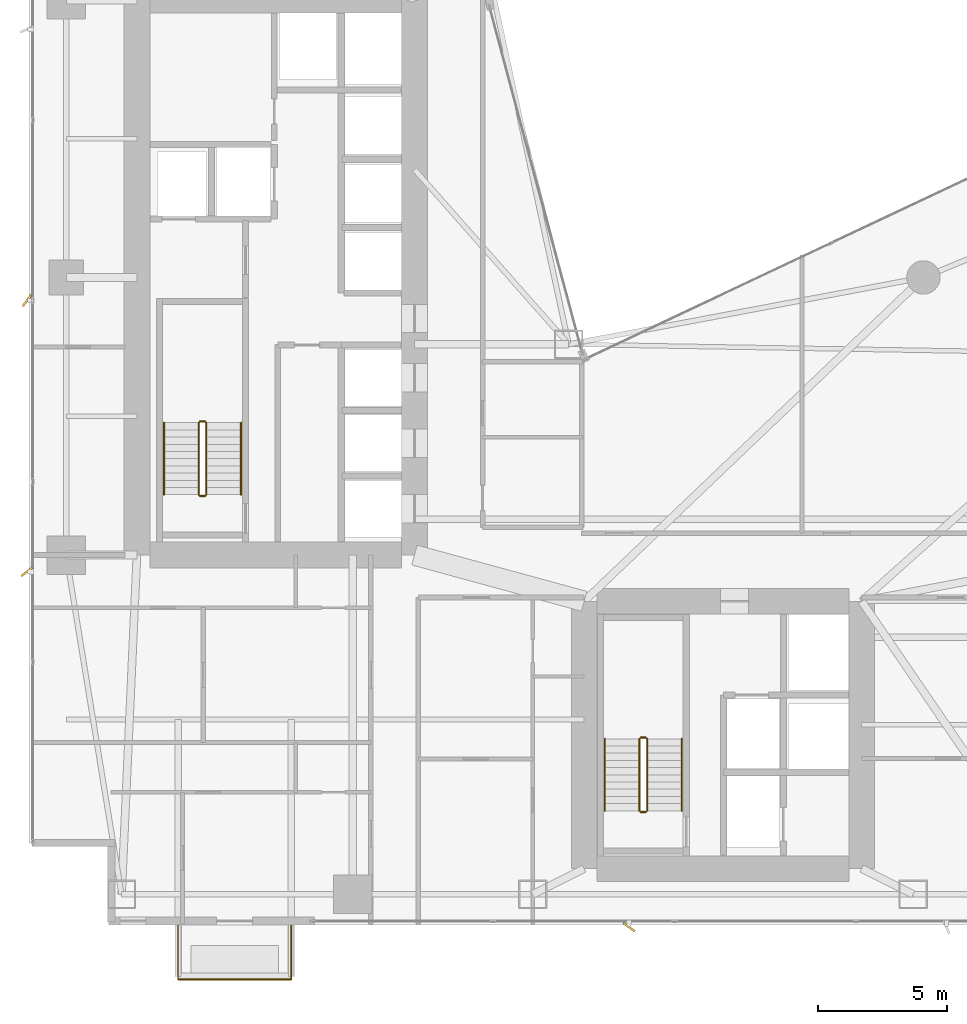
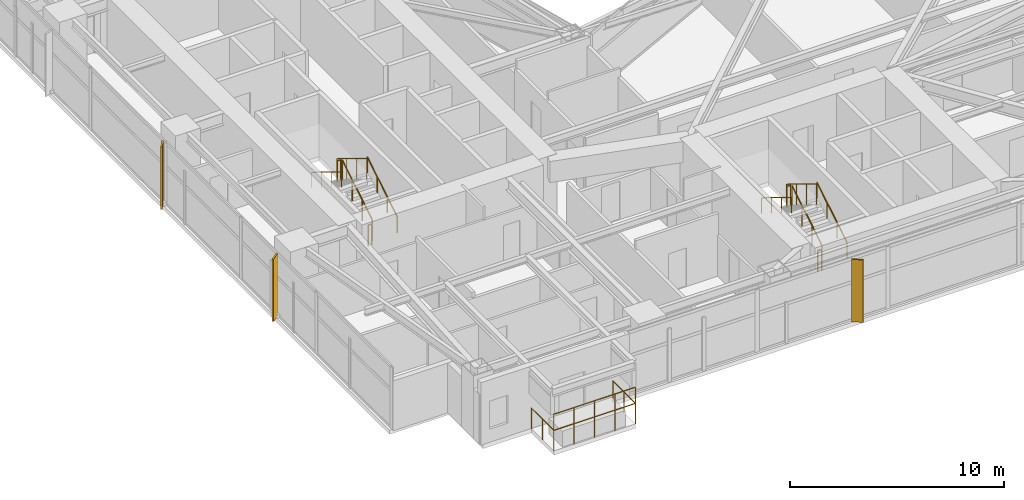
# One storey, part 28 of 29: 14 railings, 3 shading devices.
"""IFC4 building model written with IfcOpenShell, lengths in metres."""

from ifc_helpers import new_model, si_unit, direction, frame, origin, origin_2d, place, context, subcontext, project, spatial, rectangle, circle, extrude, material, type_object, element, save


model = new_model("IFC4")

# Units and contexts
model_context = context("Model", 3, precision=1e-05, world=origin(), true_north=direction((0.0, 1.0)))
body_context = subcontext(model_context, "Body", "Model", "MODEL_VIEW")
ifc_project = project(units=[si_unit("LENGTHUNIT", "METRE"), si_unit("AREAUNIT", "SQUARE_METRE"), si_unit("VOLUMEUNIT", "CUBIC_METRE"), si_unit("PLANEANGLEUNIT", "RADIAN"), si_unit("MASSUNIT", "GRAM", prefix="KILO")], contexts=[model_context])

# Site, building, storey
site_placement = place(None, origin())
site = spatial("IfcSite", under=ifc_project, at=site_placement, CompositionType="ELEMENT")
building_placement = place(site_placement, origin())
building = spatial("IfcBuilding", under=site, at=building_placement, Name="Calvorn Quay Hotel", CompositionType="ELEMENT")
storey_placement = place(building_placement, frame((0.0, 0.0, 34.60009765625)))
storey = spatial("IfcBuildingStorey", under=building, at=storey_placement, Name="L07", CompositionType="ELEMENT", Elevation=34.60009765625)

# Railings
ifc_material_1 = material(Name="Pale Anodised Aluminium and Laminated Glass", Category="aluminium")
railing_type_1 = type_object("IfcRailingType", Name="RLG-BALUSTRADE-1200", PredefinedType="BALUSTRADE", material=ifc_material_1)
railing_1_placement = place(storey_placement, frame((5.800048828125, 2.389892578125, 0.0)))
element("IfcRailing", 1, at=railing_1_placement, inside=storey, type_object=railing_type_1, Name="Tree Balcony Perimeter Balustrade L07-BALC-S", PredefinedType="BALUSTRADE", context=body_context, shape_type="SweptSolid", body=[
    extrude(circle(Radius=0.02392578125, at=origin_2d()), frame((0.0, 0.0, 1.17578125), z_axis=(0.0, -1.0, 0.0), x_axis=(1.0, 0.0, 0.0)), (0.0, 0.0, 1.0), 2.099853515625),
    extrude(circle(Radius=0.02392578125, at=origin_2d()), frame((0.0, -2.099853515625, 1.17578125), z_axis=(1.0, 0.0, 0.0), x_axis=(0.0, 1.0, 0.0)), (0.0, 0.0, 1.0), 4.39990234375),
    extrude(circle(Radius=0.02392578125, at=origin_2d()), frame((4.39990234375, -2.099853515625, 1.17578125), z_axis=(0.0, 1.0, 0.0), x_axis=(-1.0, 0.0, 0.0)), (0.0, 0.0, 1.0), 2.099853515625),
    extrude(circle(Radius=0.02099609375, at=origin_2d()), origin(), (0.0, 0.0, 1.0), 1.15185546875),
    extrude(circle(Radius=0.02099609375, at=origin_2d()), frame((0.0, -1.0498046875, 0.0)), (0.0, 0.0, 1.0), 1.15185546875),
    extrude(circle(Radius=0.02099609375, at=origin_2d()), frame((0.0, -2.099853515625, 0.0)), (0.0, 0.0, 1.0), 1.15185546875),
    extrude(circle(Radius=0.02099609375, at=origin_2d()), frame((1.10009765625, -2.099853515625, 0.0)), (0.0, 0.0, 1.0), 1.15185546875),
    extrude(circle(Radius=0.02099609375, at=origin_2d()), frame((2.199951171875, -2.099853515625, 0.0)), (0.0, 0.0, 1.0), 1.15185546875),
    extrude(circle(Radius=0.02099609375, at=origin_2d()), frame((3.2998046875, -2.099853515625, 0.0)), (0.0, 0.0, 1.0), 1.15185546875),
    extrude(circle(Radius=0.02099609375, at=origin_2d()), frame((4.39990234375, -2.099853515625, 0.0)), (0.0, 0.0, 1.0), 1.15185546875),
    extrude(circle(Radius=0.02099609375, at=origin_2d()), frame((4.39990234375, -1.0498046875, 0.0)), (0.0, 0.0, 1.0), 1.15185546875),
    extrude(circle(Radius=0.02099609375, at=origin_2d()), frame((4.39990234375, 0.0, 0.0)), (0.0, 0.0, 1.0), 1.15185546875),
])
railing_2_placement = place(storey_placement, frame((5.800048828125, 0.2900390625, 0.89990234375)))
element("IfcRailing", 2, at=railing_2_placement, inside=storey, type_object=railing_type_1, Name="Planter Kerb High Safety Screen L07-BALC-S", PredefinedType="BALUSTRADE", context=body_context, shape_type="SweptSolid", body=[
    extrude(circle(Radius=0.02392578125, at=origin_2d()), frame((0.0, 0.0, 1.19580078125), z_axis=(1.0, 0.0, 0.0), x_axis=(0.0, 1.0, 0.0)), (0.0, 0.0, 1.0), 4.39990234375),
    extrude(circle(Radius=0.02099609375, at=origin_2d()), origin(), (0.0, 0.0, 1.0), 1.171875),
    extrude(circle(Radius=0.02099609375, at=origin_2d()), frame((1.10009765625, 0.0, 0.0)), (0.0, 0.0, 1.0), 1.171875),
    extrude(circle(Radius=0.02099609375, at=origin_2d()), frame((2.199951171875, 0.0, 0.0)), (0.0, 0.0, 1.0), 1.171875),
    extrude(circle(Radius=0.02099609375, at=origin_2d()), frame((3.2998046875, 0.0, 0.0)), (0.0, 0.0, 1.0), 1.171875),
    extrude(circle(Radius=0.02099609375, at=origin_2d()), frame((4.39990234375, 0.0, 0.0)), (0.0, 0.0, 1.0), 1.171875),
])
ifc_material_2 = material(Name="Brushed Stainless Steel Handrail", Category="steel")
railing_type_2 = type_object("IfcRailingType", Name="RLG-HANDRAIL-900", PredefinedType="HANDRAIL", material=ifc_material_2)
railing_3_placement = place(storey_placement, frame((8.25, 19.14990234375, 0.172607421875)))
element("IfcRailing", 3, at=railing_3_placement, inside=storey, type_object=railing_type_2, Name="L07 ST-W stair handrail 1", PredefinedType="HANDRAIL", context=body_context, shape_type="SweptSolid", body=[
    extrude(circle(Radius=0.02392578125, at=origin_2d()), frame((0.0, 0.0, 0.8759765625), z_axis=(0.0, 0.851089632645, 0.525020415988), x_axis=(-1.0, 0.0, 0.0)), (0.0, 0.0, 1.0), 3.2900390625),
    extrude(circle(Radius=0.02099609375, at=origin_2d()), origin(), (0.0, 0.0, 1.0), 0.851806640625),
    extrude(circle(Radius=0.02099609375, at=origin_2d()), frame((0.0, 0.933349609375, 0.57568359375)), (0.0, 0.0, 1.0), 0.851806640625),
    extrude(circle(Radius=0.02099609375, at=origin_2d()), frame((0.0, 1.86669921875, 1.151611328125)), (0.0, 0.0, 1.0), 0.851806640625),
    extrude(circle(Radius=0.02099609375, at=origin_2d()), frame((0.0, 2.800048828125, 1.727294921875)), (0.0, 0.0, 1.0), 0.851806640625),
])
railing_4_placement = place(storey_placement, frame((5.25, 21.949951171875, 2.072509765625)))
element("IfcRailing", 4, at=railing_4_placement, inside=storey, type_object=railing_type_2, Name="L07 ST-W stair handrail 2", PredefinedType="HANDRAIL", context=body_context, shape_type="SweptSolid", body=[
    extrude(circle(Radius=0.02392578125, at=origin_2d()), frame((0.0, 0.0, 0.8759765625), z_axis=(0.0, -0.851089632645, 0.525020415988), x_axis=(1.0, 0.0, 0.0)), (0.0, 0.0, 1.0), 3.2900390625),
    extrude(circle(Radius=0.02099609375, at=origin_2d()), origin(), (0.0, 0.0, 1.0), 0.851806640625),
    extrude(circle(Radius=0.02099609375, at=origin_2d()), frame((0.0, -0.933349609375, 0.57568359375)), (0.0, 0.0, 1.0), 0.851806640625),
    extrude(circle(Radius=0.02099609375, at=origin_2d()), frame((0.0, -1.86669921875, 1.151611328125)), (0.0, 0.0, 1.0), 0.851806640625),
    extrude(circle(Radius=0.02099609375, at=origin_2d()), frame((0.0, -2.800048828125, 1.727294921875)), (0.0, 0.0, 1.0), 0.851806640625),
])
railing_5_placement = place(storey_placement, frame((25.39990234375, 6.85009765625, 0.172607421875)))
element("IfcRailing", 5, at=railing_5_placement, inside=storey, type_object=railing_type_2, Name="L07 ST-E stair handrail 1", PredefinedType="HANDRAIL", context=body_context, shape_type="SweptSolid", body=[
    extrude(circle(Radius=0.02392578125, at=origin_2d()), frame((0.0, 0.0, 0.8759765625), z_axis=(0.0, 0.851069175582, 0.525053576669), x_axis=(-1.0, 0.0, 0.0)), (0.0, 0.0, 1.0), 3.289794921875),
    extrude(circle(Radius=0.02099609375, at=origin_2d()), origin(), (0.0, 0.0, 1.0), 0.851806640625),
    extrude(circle(Radius=0.02099609375, at=origin_2d()), frame((0.0, 0.933349609375, 0.57568359375)), (0.0, 0.0, 1.0), 0.851806640625),
    extrude(circle(Radius=0.02099609375, at=origin_2d()), frame((0.0, 1.866455078125, 1.151611328125)), (0.0, 0.0, 1.0), 0.851806640625),
    extrude(circle(Radius=0.02099609375, at=origin_2d()), frame((0.0, 2.7998046875, 1.727294921875)), (0.0, 0.0, 1.0), 0.851806640625),
])
railing_6_placement = place(storey_placement, frame((22.39990234375, 9.64990234375, 2.072509765625)))
element("IfcRailing", 6, at=railing_6_placement, inside=storey, type_object=railing_type_2, Name="L07 ST-E stair handrail 2", PredefinedType="HANDRAIL", context=body_context, shape_type="SweptSolid", body=[
    extrude(circle(Radius=0.02392578125, at=origin_2d()), frame((0.0, 0.0, 0.8759765625), z_axis=(0.0, -0.851069175582, 0.525053576669), x_axis=(1.0, 0.0, 0.0)), (0.0, 0.0, 1.0), 3.289794921875),
    extrude(circle(Radius=0.02099609375, at=origin_2d()), origin(), (0.0, 0.0, 1.0), 0.851806640625),
    extrude(circle(Radius=0.02099609375, at=origin_2d()), frame((0.0, -0.933349609375, 0.57568359375)), (0.0, 0.0, 1.0), 0.851806640625),
    extrude(circle(Radius=0.02099609375, at=origin_2d()), frame((0.0, -1.866455078125, 1.151611328125)), (0.0, 0.0, 1.0), 0.851806640625),
    extrude(circle(Radius=0.02099609375, at=origin_2d()), frame((0.0, -2.7998046875, 1.727294921875)), (0.0, 0.0, 1.0), 0.851806640625),
])
ifc_material_3 = material(Name="Painted Galvanised Steel Balustrade", Category="steel")
railing_type_3 = type_object("IfcRailingType", Name="RLG-STAIR-GUARD-1120", PredefinedType="GUARDRAIL", material=ifc_material_3)
railing_7_placement = place(storey_placement, frame((6.89990234375, 19.14990234375, 0.172607421875)))
element("IfcRailing", 7, at=railing_7_placement, inside=storey, type_object=railing_type_3, Name="L07 ST-W stair guard 1", PredefinedType="GUARDRAIL", context=body_context, shape_type="SweptSolid", body=[
    extrude(circle(Radius=0.02392578125, at=origin_2d()), frame((0.0, 0.0, 1.17578125), z_axis=(0.0, 0.851089632645, 0.525020415988), x_axis=(-1.0, 0.0, 0.0)), (0.0, 0.0, 1.0), 3.2900390625),
    extrude(circle(Radius=0.02099609375, at=origin_2d()), origin(), (0.0, 0.0, 1.0), 1.15185546875),
    extrude(circle(Radius=0.02099609375, at=origin_2d()), frame((0.0, 0.933349609375, 0.57568359375)), (0.0, 0.0, 1.0), 1.15185546875),
    extrude(circle(Radius=0.02099609375, at=origin_2d()), frame((0.0, 1.86669921875, 1.151611328125)), (0.0, 0.0, 1.0), 1.15185546875),
    extrude(circle(Radius=0.02099609375, at=origin_2d()), frame((0.0, 2.800048828125, 1.727294921875)), (0.0, 0.0, 1.0), 1.15185546875),
])
railing_8_placement = place(storey_placement, frame((6.85009765625, 22.0, 1.89990234375)))
element("IfcRailing", 8, at=railing_8_placement, inside=storey, type_object=railing_type_3, Name="L07 ST-W stair guard 2", PredefinedType="GUARDRAIL", context=body_context, shape_type="SweptSolid", body=[
    extrude(circle(Radius=0.02392578125, at=origin_2d()), frame((0.0, 0.0, 1.17578125), z_axis=(-1.0, 0.0, 0.0), x_axis=(0.0, -1.0, 0.0)), (0.0, 0.0, 1.0), 0.2001953125),
    extrude(circle(Radius=0.02099609375, at=origin_2d()), origin(), (0.0, 0.0, 1.0), 1.15185546875),
    extrude(circle(Radius=0.02099609375, at=origin_2d()), frame((-0.2001953125, 0.0, 0.0)), (0.0, 0.0, 1.0), 1.15185546875),
])
railing_9_placement = place(storey_placement, frame((6.60009765625, 21.949951171875, 2.072509765625)))
element("IfcRailing", 9, at=railing_9_placement, inside=storey, type_object=railing_type_3, Name="L07 ST-W stair guard 3", PredefinedType="GUARDRAIL", context=body_context, shape_type="SweptSolid", body=[
    extrude(circle(Radius=0.02392578125, at=origin_2d()), frame((0.0, 0.0, 1.17578125), z_axis=(0.0, -0.851089632645, 0.525020415988), x_axis=(1.0, 0.0, 0.0)), (0.0, 0.0, 1.0), 3.2900390625),
    extrude(circle(Radius=0.02099609375, at=origin_2d()), origin(), (0.0, 0.0, 1.0), 1.15185546875),
    extrude(circle(Radius=0.02099609375, at=origin_2d()), frame((0.0, -0.933349609375, 0.57568359375)), (0.0, 0.0, 1.0), 1.15185546875),
    extrude(circle(Radius=0.02099609375, at=origin_2d()), frame((0.0, -1.86669921875, 1.151611328125)), (0.0, 0.0, 1.0), 1.15185546875),
    extrude(circle(Radius=0.02099609375, at=origin_2d()), frame((0.0, -2.800048828125, 1.727294921875)), (0.0, 0.0, 1.0), 1.15185546875),
])
railing_10_placement = place(storey_placement, frame((6.85009765625, 19.10009765625, 0.0)))
element("IfcRailing", 10, at=railing_10_placement, inside=storey, type_object=railing_type_3, Name="L07 ST-W stair guard 4", PredefinedType="GUARDRAIL", context=body_context, shape_type="SweptSolid", body=[
    extrude(circle(Radius=0.02392578125, at=origin_2d()), frame((0.0, 0.0, 1.17578125), z_axis=(-1.0, 0.0, 0.0), x_axis=(0.0, -1.0, 0.0)), (0.0, 0.0, 1.0), 0.2001953125),
    extrude(circle(Radius=0.02099609375, at=origin_2d()), origin(), (0.0, 0.0, 1.0), 1.15185546875),
    extrude(circle(Radius=0.02099609375, at=origin_2d()), frame((-0.2001953125, 0.0, 0.0)), (0.0, 0.0, 1.0), 1.15185546875),
])
railing_11_placement = place(storey_placement, frame((24.050048828125, 6.85009765625, 0.172607421875)))
element("IfcRailing", 11, at=railing_11_placement, inside=storey, type_object=railing_type_3, Name="L07 ST-E stair guard 1", PredefinedType="GUARDRAIL", context=body_context, shape_type="SweptSolid", body=[
    extrude(circle(Radius=0.02392578125, at=origin_2d()), frame((0.0, 0.0, 1.17578125), z_axis=(0.0, 0.851069175582, 0.525053576669), x_axis=(-1.0, 0.0, 0.0)), (0.0, 0.0, 1.0), 3.289794921875),
    extrude(circle(Radius=0.02099609375, at=origin_2d()), origin(), (0.0, 0.0, 1.0), 1.15185546875),
    extrude(circle(Radius=0.02099609375, at=origin_2d()), frame((0.0, 0.933349609375, 0.57568359375)), (0.0, 0.0, 1.0), 1.15185546875),
    extrude(circle(Radius=0.02099609375, at=origin_2d()), frame((0.0, 1.866455078125, 1.151611328125)), (0.0, 0.0, 1.0), 1.15185546875),
    extrude(circle(Radius=0.02099609375, at=origin_2d()), frame((0.0, 2.7998046875, 1.727294921875)), (0.0, 0.0, 1.0), 1.15185546875),
])
railing_12_placement = place(storey_placement, frame((24.0, 9.699951171875, 1.89990234375)))
element("IfcRailing", 12, at=railing_12_placement, inside=storey, type_object=railing_type_3, Name="L07 ST-E stair guard 2", PredefinedType="GUARDRAIL", context=body_context, shape_type="SweptSolid", body=[
    extrude(circle(Radius=0.02392578125, at=origin_2d()), frame((0.0, 0.0, 1.17578125), z_axis=(-1.0, 0.0, 0.0), x_axis=(0.0, -1.0, 0.0)), (0.0, 0.0, 1.0), 0.199951171875),
    extrude(circle(Radius=0.02099609375, at=origin_2d()), origin(), (0.0, 0.0, 1.0), 1.15185546875),
    extrude(circle(Radius=0.02099609375, at=origin_2d()), frame((-0.199951171875, 0.0, 0.0)), (0.0, 0.0, 1.0), 1.15185546875),
])
railing_13_placement = place(storey_placement, frame((23.75, 9.64990234375, 2.072509765625)))
element("IfcRailing", 13, at=railing_13_placement, inside=storey, type_object=railing_type_3, Name="L07 ST-E stair guard 3", PredefinedType="GUARDRAIL", context=body_context, shape_type="SweptSolid", body=[
    extrude(circle(Radius=0.02392578125, at=origin_2d()), frame((0.0, 0.0, 1.17578125), z_axis=(0.0, -0.851069175582, 0.525053576669), x_axis=(1.0, 0.0, 0.0)), (0.0, 0.0, 1.0), 3.289794921875),
    extrude(circle(Radius=0.02099609375, at=origin_2d()), origin(), (0.0, 0.0, 1.0), 1.15185546875),
    extrude(circle(Radius=0.02099609375, at=origin_2d()), frame((0.0, -0.933349609375, 0.57568359375)), (0.0, 0.0, 1.0), 1.15185546875),
    extrude(circle(Radius=0.02099609375, at=origin_2d()), frame((0.0, -1.866455078125, 1.151611328125)), (0.0, 0.0, 1.0), 1.15185546875),
    extrude(circle(Radius=0.02099609375, at=origin_2d()), frame((0.0, -2.7998046875, 1.727294921875)), (0.0, 0.0, 1.0), 1.15185546875),
])
railing_14_placement = place(storey_placement, frame((24.0, 6.800048828125, 0.0)))
element("IfcRailing", 14, at=railing_14_placement, inside=storey, type_object=railing_type_3, Name="L07 ST-E stair guard 4", PredefinedType="GUARDRAIL", context=body_context, shape_type="SweptSolid", body=[
    extrude(circle(Radius=0.02392578125, at=origin_2d()), frame((0.0, 0.0, 1.17578125), z_axis=(-1.0, 0.0, 0.0), x_axis=(0.0, -1.0, 0.0)), (0.0, 0.0, 1.0), 0.199951171875),
    extrude(circle(Radius=0.02099609375, at=origin_2d()), origin(), (0.0, 0.0, 1.0), 1.15185546875),
    extrude(circle(Radius=0.02099609375, at=origin_2d()), frame((-0.199951171875, 0.0, 0.0)), (0.0, 0.0, 1.0), 1.15185546875),
])

# Shading devices
ifc_material_4 = material(Name="Champagne Bronze Anodised Aluminium 6063-T6", Category="aluminium")
shading_device_type_1 = type_object("IfcShadingDeviceType", Name="SHD-FIN-A2", PredefinedType="USERDEFINED", material=ifc_material_4)
shading_device_placement = place(storey_placement, frame((-0.080078125, 16.14990234375, -0.000244140625), z_axis=(0.0, 0.0, 1.0), x_axis=(0.788010753607, 0.615661475326, 0.0)))
element("IfcShadingDevice", 15, at=shading_device_placement, inside=storey, type_object=shading_device_type_1, Name="Diagonal Sun-Shading Fin L07-W01", ObjectType="FIN", PredefinedType="USERDEFINED", context=body_context, shape_type="SweptSolid", body=[
    extrude(rectangle(XDim=0.550048828125, YDim=0.080078125, at=origin_2d()), origin(), (0.0, 0.0, 1.0), 3.56005859375),
])
ifc_material_5 = material(Name="Champagne Bronze Anodised Aluminium 6063-T6", Category="aluminium")
shading_device_type_2 = type_object("IfcShadingDeviceType", Name="SHD-FIN-A3", PredefinedType="USERDEFINED", material=ifc_material_5)
for number, where, z_axis, x_axis, name in (
    (16, (-0.080078125, 26.699951171875, -0.000244140625), (0.0, 0.0, 1.0), (0.587785252292, 0.809016994375, 0.0), "Diagonal Sun-Shading Fin L07-W02"),
    (17, (23.35009765625, 2.320068359375, -0.000244140625), (0.0, 0.0, 1.0), (-0.809016994375, 0.587785252292, 0.0), "Diagonal Sun-Shading Fin L07-S01"),
):
    element("IfcShadingDevice", number, at=place(storey_placement, frame(where, z_axis=z_axis, x_axis=x_axis)), inside=storey, type_object=shading_device_type_2, Name=name, ObjectType="FIN", PredefinedType="USERDEFINED", context=body_context, shape_type="SweptSolid", body=[
        extrude(rectangle(XDim=0.550048828125, YDim=0.080078125, at=origin_2d()), origin(), (0.0, 0.0, 1.0), 3.56005859375),
    ])

save(model, "model.ifc")
